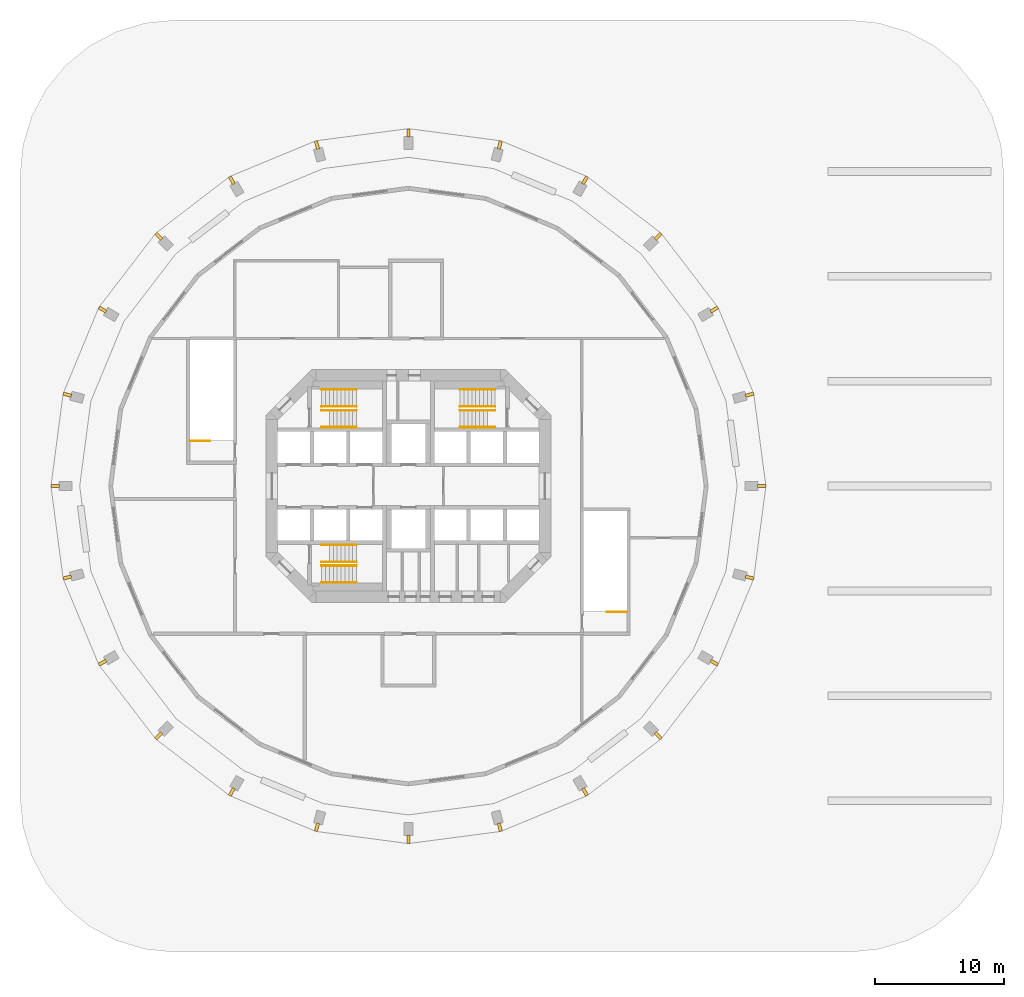
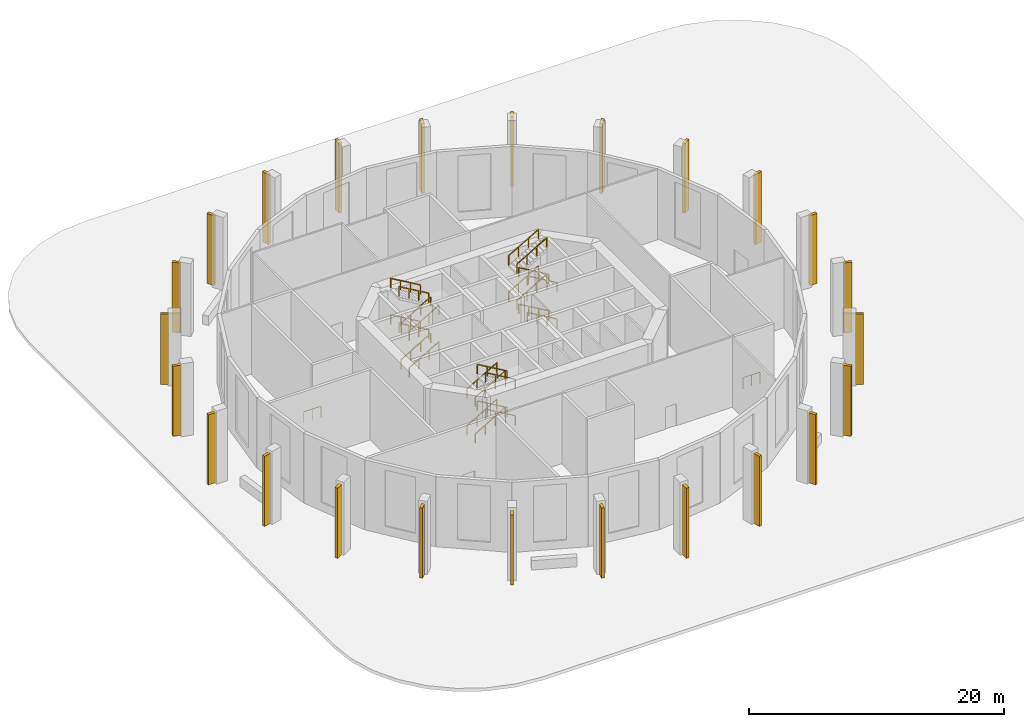
# One storey, part 7 of 7: 26 railings, 24 coverings.
"""IFC4 building model written with IfcOpenShell, lengths in metres."""

import ifcopenshell
import ifcopenshell.guid

model = None  # the IFC model being written
_history = None  # IfcOwnerHistory: only IFC2X3 demands one
_inside = {}  # id of a spatial element -> (the spatial element, [elements in it])
_under = {}  # id of a project, library or spatial element -> (it, [spatial elements below it])
_declared = {}  # id of a project -> (the project, [libraries it declares])
_typed = {}  # id of a type object -> (the type object, [elements of that type])
_made_of = {}  # id of a material, layer set ... -> (it, [elements and type objects made of it])


def new_model(schema):
    """Start an empty IFC model of exactly this schema.

    Asked for "IFC4X3", IfcOpenShell would pick the latest addendum, in which some entities
    have other attributes; the version numbers below select the first issue.
    IFC2X3 requires an IfcOwnerHistory on every rooted entity: one is made here for all.
    """
    global model, _history
    if schema == "IFC4X3":
        model = ifcopenshell.file(schema_version=(4, 3, 0, 0))
    else:
        model = ifcopenshell.file(schema=schema)
    _inside.clear()
    _under.clear()
    _declared.clear()
    _typed.clear()
    _made_of.clear()
    _history = None
    if model.schema == "IFC2X3":
        org = make("IfcOrganization", Name="unknown")
        user = make(
            "IfcPersonAndOrganization",
            ThePerson=make("IfcPerson", FamilyName="unknown"),
            TheOrganization=org,
        )
        app = make(
            "IfcApplication",
            ApplicationDeveloper=org,
            Version="unknown",
            ApplicationFullName="unknown",
            ApplicationIdentifier="unknown",
        )
        _history = make(
            "IfcOwnerHistory",
            OwningUser=user,
            OwningApplication=app,
            ChangeAction="ADDED",
            CreationDate=0,
        )
    return model


def make(cls, **values):
    """One entity of the class cls with the attributes given. An attribute that is None is left unset."""
    return model.create_entity(
        cls, **{name: value for name, value in values.items() if value is not None}
    )


def rooted(cls, **values):
    """An entity with a GlobalId (a new one), such as an element, a storey or a relation."""
    return make(cls, GlobalId=ifcopenshell.guid.new(), OwnerHistory=_history, **values)


def si_unit(unit_type, name, prefix=None):
    """IfcSIUnit, for example si_unit("LENGTHUNIT", "METRE", prefix="MILLI")."""
    return make("IfcSIUnit", UnitType=unit_type, Prefix=prefix, Name=name)


def assignment(units):
    """IfcUnitAssignment: the units of a project."""
    return None if units is None else make("IfcUnitAssignment", Units=units)


def point(xyz):
    """IfcCartesianPoint."""
    return None if xyz is None else make("IfcCartesianPoint", Coordinates=xyz)


def direction(xyz):
    """IfcDirection."""
    return None if xyz is None else make("IfcDirection", DirectionRatios=xyz)


def frame(location, z_axis=None, x_axis=None):
    """IfcAxis2Placement3D, a coordinate frame: its origin and axes. An axis left out is left unset."""
    return make(
        "IfcAxis2Placement3D",
        Location=point(location),
        Axis=direction(z_axis),
        RefDirection=direction(x_axis),
    )


def frame_2d(location, x_axis=None):
    """IfcAxis2Placement2D, a coordinate frame in the plane: its origin and x axis."""
    return make(
        "IfcAxis2Placement2D", Location=point(location), RefDirection=direction(x_axis)
    )


def origin():
    """The frame at (0, 0, 0) with its axes left unset."""
    return frame((0.0, 0.0, 0.0))


def origin_2d():
    """The frame at (0, 0) in the plane with its x axis left unset."""
    return frame_2d((0.0, 0.0))


def place(relative_to, where):
    """IfcLocalPlacement: puts the frame where relative to a parent placement (None: the world)."""
    return make(
        "IfcLocalPlacement", PlacementRelTo=relative_to, RelativePlacement=where
    )


def context(
    kind, dimensions, precision=None, world=None, true_north=None, identifier=None
):
    """IfcGeometricRepresentationContext, for example the 3D "Model" context."""
    return make(
        "IfcGeometricRepresentationContext",
        ContextIdentifier=identifier,
        ContextType=kind,
        CoordinateSpaceDimension=dimensions,
        Precision=precision,
        WorldCoordinateSystem=world,
        TrueNorth=true_north,
    )


def subcontext(parent, identifier, kind, view, scale=None):
    """IfcGeometricRepresentationSubContext, for example "Body" below "Model"."""
    return make(
        "IfcGeometricRepresentationSubContext",
        ContextIdentifier=identifier,
        ContextType=kind,
        ParentContext=parent,
        TargetScale=scale,
        TargetView=view,
    )


def project(units=None, contexts=None):
    """IfcProject with its units and contexts."""
    return rooted(
        "IfcProject",
        Name="project",
        RepresentationContexts=contexts,
        UnitsInContext=assignment(units),
    )


def spatial(cls, under=None, at=None, **own):
    """A site, building, storey or space (cls), placed at a placement, below another one or the project."""
    s = rooted(cls, ObjectPlacement=at, **own)
    if under is not None:
        _under.setdefault(under.id(), (under, []))[1].append(s)
    return s


def profile(cls, at=None, kind="AREA", **sizes):
    """A parametric profile (cls). Its sizes go by their IFC names, for example OverallWidth=200.0."""
    return make(cls, ProfileType=kind, Position=at, **sizes)


def rectangle(**sizes):
    """IfcRectangleProfileDef."""
    return profile("IfcRectangleProfileDef", **sizes)


def extrude(swept, where, along, depth):
    """IfcExtrudedAreaSolid: the profile swept, set in the frame where, extruded along a direction by depth."""
    return make(
        "IfcExtrudedAreaSolid",
        SweptArea=swept,
        Position=where,
        ExtrudedDirection=direction(along),
        Depth=depth,
    )


def shape(context_of_items, identifier, shape_type, items):
    """IfcShapeRepresentation: the items that make up one representation, for example the "Body"."""
    return make(
        "IfcShapeRepresentation",
        ContextOfItems=context_of_items,
        RepresentationIdentifier=identifier,
        RepresentationType=shape_type,
        Items=items,
    )


def material(Name=None, Category=None):
    """IfcMaterial."""
    return make("IfcMaterial", Name=Name, Category=Category)


def material_profile(
    of_material, cross_section, Name=None, Category=None, Priority=None
):
    """IfcMaterialProfile: a cross section and its material."""
    return make(
        "IfcMaterialProfile",
        Name=Name,
        Material=of_material,
        Profile=cross_section,
        Priority=Priority,
        Category=Category,
    )


def profile_set(profiles, Name=None, composite=None):
    """IfcMaterialProfileSet."""
    return make(
        "IfcMaterialProfileSet",
        Name=Name,
        MaterialProfiles=profiles,
        CompositeProfile=composite,
    )


def made_of(thing, what):
    """Note that an element or type object is made of a material, layer set ...; save() writes the relation."""
    if what is not None:
        _made_of.setdefault(what.id(), (what, []))[1].append(thing)
    return thing


def type_object(cls, material=None, **own):
    """A type object (cls), such as IfcWallType, which elements share."""
    return made_of(rooted(cls, **own), material)


def element(
    cls,
    number,
    at=None,
    inside=None,
    cuts=None,
    type_object=None,
    material=None,
    context=None,
    identifier="Body",
    shape_type=None,
    held_by="IfcProductDefinitionShape",
    body=None,
    shapes=None,
    **own,
):
    """One element of the class cls, such as IfcWall. Its Tag is "e" and its number.

    at: its placement. inside: the storey or other place that contains it. cuts: it is an
    opening in that element (IfcRelVoidsElement). A single representation is given by context,
    identifier, shape_type and body (its items); several are given by shapes. held_by: the class
    of the entity that holds the representations. save() writes the other relations.
    """
    e = rooted(cls, Tag="e%d" % number, ObjectPlacement=at, **own)
    if body is not None:
        shapes = [shape(context, identifier, shape_type, body)]
    if shapes is not None:
        e.Representation = make(held_by, Representations=shapes)
    if inside is not None:
        _inside.setdefault(inside.id(), (inside, []))[1].append(e)
    if cuts is not None:
        rooted(
            "IfcRelVoidsElement", RelatingBuildingElement=cuts, RelatedOpeningElement=e
        )
    if type_object is not None:
        _typed.setdefault(type_object.id(), (type_object, []))[1].append(e)
    return made_of(e, material)


def aggregate(whole, parts):
    """IfcRelAggregates: a whole, such as a stair, and the parts it consists of."""
    return rooted("IfcRelAggregates", RelatingObject=whole, RelatedObjects=parts)


def save(model, path):
    """Write the relations noted so far, then the file.

    IfcRelAggregates (storeys below a building ...), IfcRelContainedInSpatialStructure (elements
    in a storey), IfcRelDefinesByType, IfcRelAssociatesMaterial and IfcRelDeclares: one each for
    every whole, place, type object, material and project.
    """
    for whole, parts in _under.values():
        aggregate(whole, parts)
    for where, things in _inside.values():
        rooted(
            "IfcRelContainedInSpatialStructure",
            RelatedElements=things,
            RelatingStructure=where,
        )
    for kind, things in _typed.values():
        rooted("IfcRelDefinesByType", RelatedObjects=things, RelatingType=kind)
    for what, things in _made_of.values():
        rooted("IfcRelAssociatesMaterial", RelatedObjects=things, RelatingMaterial=what)
    for by, libraries in _declared.values():
        rooted("IfcRelDeclares", RelatingContext=by, RelatedDefinitions=libraries)
    model.write(path)


model = new_model("IFC4")

# Units and contexts
model_context = context("Model", 3, precision=1e-05, world=origin(), true_north=direction((0.0, 1.0)))
body_context = subcontext(model_context, "Body", "Model", "MODEL_VIEW")
ifc_project = project(units=[si_unit("LENGTHUNIT", "METRE"), si_unit("AREAUNIT", "SQUARE_METRE"), si_unit("VOLUMEUNIT", "CUBIC_METRE"), si_unit("PLANEANGLEUNIT", "RADIAN"), si_unit("MASSUNIT", "GRAM", prefix="KILO")], contexts=[model_context])

# Site, building, storey
site_placement = place(None, origin())
site = spatial("IfcSite", under=ifc_project, at=site_placement, CompositionType="ELEMENT")
building_placement = place(site_placement, origin())
building = spatial("IfcBuilding", under=site, at=building_placement, Name="Torre Triforio", CompositionType="ELEMENT")
storey_placement = place(building_placement, frame((0.0, 0.0, 20.0)))
storey = spatial("IfcBuildingStorey", under=building, at=storey_placement, Name="L03", CompositionType="ELEMENT", Elevation=20.0)

# Railings
ifc_material_1 = material(Name="Stainless steel AISI 316", Category="steel")
railing_type_1 = type_object("IfcRailingType", Name="HANDRAIL 920", PredefinedType="HANDRAIL", material=ifc_material_1)
for number, where, name in (
    (1, (-6.699951171875, 4.550048828125, 0.175048828125), "Handrail ST1"),
    (2, (-6.699951171875, 5.85009765625, 0.175048828125), "Handrail ST1"),
):
    element("IfcRailing", number, at=place(storey_placement, frame(where)), inside=storey, type_object=railing_type_1, Name=name, PredefinedType="HANDRAIL", context=body_context, shape_type="SweptSolid", body=[
        extrude(rectangle(XDim=0.048095703125, YDim=0.048095703125, at=origin_2d()), frame((0.0, 0.0, 0.89599609375), z_axis=(0.863781733769, 0.0, 0.503866169142), x_axis=(0.0, 1.0, 0.0)), (0.0, 0.0, 1.0), 3.125732421875),
        extrude(rectangle(XDim=0.0419921875, YDim=0.0419921875, at=origin_2d()), origin(), (0.0, 0.0, 1.0), 0.871826171875),
        extrude(rectangle(XDim=0.0419921875, YDim=0.0419921875, at=origin_2d()), frame((0.89990234375, 0.0, 0.52490234375)), (0.0, 0.0, 1.0), 0.871826171875),
        extrude(rectangle(XDim=0.0419921875, YDim=0.0419921875, at=origin_2d()), frame((1.800048828125, 0.0, 1.050048828125)), (0.0, 0.0, 1.0), 0.871826171875),
        extrude(rectangle(XDim=0.0419921875, YDim=0.0419921875, at=origin_2d()), frame((2.699951171875, 0.0, 1.574951171875)), (0.0, 0.0, 1.0), 0.871826171875),
    ])
for number, where, name in (
    (3, (-4.0, 7.449951171875, 1.925048828125), "Handrail ST1"),
    (4, (-4.0, 6.14990234375, 1.925048828125), "Handrail ST1"),
):
    element("IfcRailing", number, at=place(storey_placement, frame(where)), inside=storey, type_object=railing_type_1, Name=name, PredefinedType="HANDRAIL", context=body_context, shape_type="SweptSolid", body=[
        extrude(rectangle(XDim=0.048095703125, YDim=0.048095703125, at=origin_2d()), frame((0.0, 0.0, 0.89599609375), z_axis=(-0.863781733769, 0.0, 0.503866169142), x_axis=(0.0, -1.0, 0.0)), (0.0, 0.0, 1.0), 3.125732421875),
        extrude(rectangle(XDim=0.0419921875, YDim=0.0419921875, at=origin_2d()), origin(), (0.0, 0.0, 1.0), 0.871826171875),
        extrude(rectangle(XDim=0.0419921875, YDim=0.0419921875, at=origin_2d()), frame((-0.89990234375, 0.0, 0.52490234375)), (0.0, 0.0, 1.0), 0.871826171875),
        extrude(rectangle(XDim=0.0419921875, YDim=0.0419921875, at=origin_2d()), frame((-1.800048828125, 0.0, 1.050048828125)), (0.0, 0.0, 1.0), 0.871826171875),
        extrude(rectangle(XDim=0.0419921875, YDim=0.0419921875, at=origin_2d()), frame((-2.699951171875, 0.0, 1.574951171875)), (0.0, 0.0, 1.0), 0.871826171875),
    ])
for number, where, name in (
    (5, (-6.699951171875, 4.550048828125, 3.675048828125), "Handrail ST1"),
    (6, (-6.699951171875, 5.85009765625, 3.675048828125), "Handrail ST1"),
):
    element("IfcRailing", number, at=place(storey_placement, frame(where)), inside=storey, type_object=railing_type_1, Name=name, PredefinedType="HANDRAIL", context=body_context, shape_type="SweptSolid", body=[
        extrude(rectangle(XDim=0.048095703125, YDim=0.048095703125, at=origin_2d()), frame((0.0, 0.0, 0.89599609375), z_axis=(0.863781733769, 0.0, 0.503866169142), x_axis=(0.0, 1.0, 0.0)), (0.0, 0.0, 1.0), 3.125732421875),
        extrude(rectangle(XDim=0.0419921875, YDim=0.0419921875, at=origin_2d()), origin(), (0.0, 0.0, 1.0), 0.871826171875),
        extrude(rectangle(XDim=0.0419921875, YDim=0.0419921875, at=origin_2d()), frame((0.89990234375, 0.0, 0.52490234375)), (0.0, 0.0, 1.0), 0.871826171875),
        extrude(rectangle(XDim=0.0419921875, YDim=0.0419921875, at=origin_2d()), frame((1.800048828125, 0.0, 1.050048828125)), (0.0, 0.0, 1.0), 0.871826171875),
        extrude(rectangle(XDim=0.0419921875, YDim=0.0419921875, at=origin_2d()), frame((2.699951171875, 0.0, 1.574951171875)), (0.0, 0.0, 1.0), 0.871826171875),
    ])
for number, where, name in (
    (7, (-4.0, 7.449951171875, 5.425048828125), "Handrail ST1"),
    (8, (-4.0, 6.14990234375, 5.425048828125), "Handrail ST1"),
    (9, (6.699951171875, 4.550048828125, 0.175048828125), "Handrail ST2"),
    (10, (6.699951171875, 5.85009765625, 0.175048828125), "Handrail ST2"),
):
    element("IfcRailing", number, at=place(storey_placement, frame(where)), inside=storey, type_object=railing_type_1, Name=name, PredefinedType="HANDRAIL", context=body_context, shape_type="SweptSolid", body=[
        extrude(rectangle(XDim=0.048095703125, YDim=0.048095703125, at=origin_2d()), frame((0.0, 0.0, 0.89599609375), z_axis=(-0.863781733769, 0.0, 0.503866169142), x_axis=(0.0, -1.0, 0.0)), (0.0, 0.0, 1.0), 3.125732421875),
        extrude(rectangle(XDim=0.0419921875, YDim=0.0419921875, at=origin_2d()), origin(), (0.0, 0.0, 1.0), 0.871826171875),
        extrude(rectangle(XDim=0.0419921875, YDim=0.0419921875, at=origin_2d()), frame((-0.89990234375, 0.0, 0.52490234375)), (0.0, 0.0, 1.0), 0.871826171875),
        extrude(rectangle(XDim=0.0419921875, YDim=0.0419921875, at=origin_2d()), frame((-1.800048828125, 0.0, 1.050048828125)), (0.0, 0.0, 1.0), 0.871826171875),
        extrude(rectangle(XDim=0.0419921875, YDim=0.0419921875, at=origin_2d()), frame((-2.699951171875, 0.0, 1.574951171875)), (0.0, 0.0, 1.0), 0.871826171875),
    ])
for number, where, name in (
    (11, (4.0, 7.449951171875, 1.925048828125), "Handrail ST2"),
    (12, (4.0, 6.14990234375, 1.925048828125), "Handrail ST2"),
):
    element("IfcRailing", number, at=place(storey_placement, frame(where)), inside=storey, type_object=railing_type_1, Name=name, PredefinedType="HANDRAIL", context=body_context, shape_type="SweptSolid", body=[
        extrude(rectangle(XDim=0.048095703125, YDim=0.048095703125, at=origin_2d()), frame((0.0, 0.0, 0.89599609375), z_axis=(0.863781733769, 0.0, 0.503866169142), x_axis=(0.0, 1.0, 0.0)), (0.0, 0.0, 1.0), 3.125732421875),
        extrude(rectangle(XDim=0.0419921875, YDim=0.0419921875, at=origin_2d()), origin(), (0.0, 0.0, 1.0), 0.871826171875),
        extrude(rectangle(XDim=0.0419921875, YDim=0.0419921875, at=origin_2d()), frame((0.89990234375, 0.0, 0.52490234375)), (0.0, 0.0, 1.0), 0.871826171875),
        extrude(rectangle(XDim=0.0419921875, YDim=0.0419921875, at=origin_2d()), frame((1.800048828125, 0.0, 1.050048828125)), (0.0, 0.0, 1.0), 0.871826171875),
        extrude(rectangle(XDim=0.0419921875, YDim=0.0419921875, at=origin_2d()), frame((2.699951171875, 0.0, 1.574951171875)), (0.0, 0.0, 1.0), 0.871826171875),
    ])
for number, where, name in (
    (13, (6.699951171875, 4.550048828125, 3.675048828125), "Handrail ST2"),
    (14, (6.699951171875, 5.85009765625, 3.675048828125), "Handrail ST2"),
):
    element("IfcRailing", number, at=place(storey_placement, frame(where)), inside=storey, type_object=railing_type_1, Name=name, PredefinedType="HANDRAIL", context=body_context, shape_type="SweptSolid", body=[
        extrude(rectangle(XDim=0.048095703125, YDim=0.048095703125, at=origin_2d()), frame((0.0, 0.0, 0.89599609375), z_axis=(-0.863781733769, 0.0, 0.503866169142), x_axis=(0.0, -1.0, 0.0)), (0.0, 0.0, 1.0), 3.125732421875),
        extrude(rectangle(XDim=0.0419921875, YDim=0.0419921875, at=origin_2d()), origin(), (0.0, 0.0, 1.0), 0.871826171875),
        extrude(rectangle(XDim=0.0419921875, YDim=0.0419921875, at=origin_2d()), frame((-0.89990234375, 0.0, 0.52490234375)), (0.0, 0.0, 1.0), 0.871826171875),
        extrude(rectangle(XDim=0.0419921875, YDim=0.0419921875, at=origin_2d()), frame((-1.800048828125, 0.0, 1.050048828125)), (0.0, 0.0, 1.0), 0.871826171875),
        extrude(rectangle(XDim=0.0419921875, YDim=0.0419921875, at=origin_2d()), frame((-2.699951171875, 0.0, 1.574951171875)), (0.0, 0.0, 1.0), 0.871826171875),
    ])
for number, where, name in (
    (15, (4.0, 7.449951171875, 5.425048828125), "Handrail ST2"),
    (16, (4.0, 6.14990234375, 5.425048828125), "Handrail ST2"),
    (17, (-6.699951171875, -4.550048828125, 0.175048828125), "Handrail ST3"),
    (18, (-6.699951171875, -5.85009765625, 0.175048828125), "Handrail ST3"),
):
    element("IfcRailing", number, at=place(storey_placement, frame(where)), inside=storey, type_object=railing_type_1, Name=name, PredefinedType="HANDRAIL", context=body_context, shape_type="SweptSolid", body=[
        extrude(rectangle(XDim=0.048095703125, YDim=0.048095703125, at=origin_2d()), frame((0.0, 0.0, 0.89599609375), z_axis=(0.863781733769, 0.0, 0.503866169142), x_axis=(0.0, 1.0, 0.0)), (0.0, 0.0, 1.0), 3.125732421875),
        extrude(rectangle(XDim=0.0419921875, YDim=0.0419921875, at=origin_2d()), origin(), (0.0, 0.0, 1.0), 0.871826171875),
        extrude(rectangle(XDim=0.0419921875, YDim=0.0419921875, at=origin_2d()), frame((0.89990234375, 0.0, 0.52490234375)), (0.0, 0.0, 1.0), 0.871826171875),
        extrude(rectangle(XDim=0.0419921875, YDim=0.0419921875, at=origin_2d()), frame((1.800048828125, 0.0, 1.050048828125)), (0.0, 0.0, 1.0), 0.871826171875),
        extrude(rectangle(XDim=0.0419921875, YDim=0.0419921875, at=origin_2d()), frame((2.699951171875, 0.0, 1.574951171875)), (0.0, 0.0, 1.0), 0.871826171875),
    ])
for number, where, name in (
    (19, (-4.0, -7.449951171875, 1.925048828125), "Handrail ST3"),
    (20, (-4.0, -6.14990234375, 1.925048828125), "Handrail ST3"),
):
    element("IfcRailing", number, at=place(storey_placement, frame(where)), inside=storey, type_object=railing_type_1, Name=name, PredefinedType="HANDRAIL", context=body_context, shape_type="SweptSolid", body=[
        extrude(rectangle(XDim=0.048095703125, YDim=0.048095703125, at=origin_2d()), frame((0.0, 0.0, 0.89599609375), z_axis=(-0.863781733769, 0.0, 0.503866169142), x_axis=(0.0, -1.0, 0.0)), (0.0, 0.0, 1.0), 3.125732421875),
        extrude(rectangle(XDim=0.0419921875, YDim=0.0419921875, at=origin_2d()), origin(), (0.0, 0.0, 1.0), 0.871826171875),
        extrude(rectangle(XDim=0.0419921875, YDim=0.0419921875, at=origin_2d()), frame((-0.89990234375, 0.0, 0.52490234375)), (0.0, 0.0, 1.0), 0.871826171875),
        extrude(rectangle(XDim=0.0419921875, YDim=0.0419921875, at=origin_2d()), frame((-1.800048828125, 0.0, 1.050048828125)), (0.0, 0.0, 1.0), 0.871826171875),
        extrude(rectangle(XDim=0.0419921875, YDim=0.0419921875, at=origin_2d()), frame((-2.699951171875, 0.0, 1.574951171875)), (0.0, 0.0, 1.0), 0.871826171875),
    ])
for number, where, name in (
    (21, (-6.699951171875, -4.550048828125, 3.675048828125), "Handrail ST3"),
    (22, (-6.699951171875, -5.85009765625, 3.675048828125), "Handrail ST3"),
):
    element("IfcRailing", number, at=place(storey_placement, frame(where)), inside=storey, type_object=railing_type_1, Name=name, PredefinedType="HANDRAIL", context=body_context, shape_type="SweptSolid", body=[
        extrude(rectangle(XDim=0.048095703125, YDim=0.048095703125, at=origin_2d()), frame((0.0, 0.0, 0.89599609375), z_axis=(0.863781733769, 0.0, 0.503866169142), x_axis=(0.0, 1.0, 0.0)), (0.0, 0.0, 1.0), 3.125732421875),
        extrude(rectangle(XDim=0.0419921875, YDim=0.0419921875, at=origin_2d()), origin(), (0.0, 0.0, 1.0), 0.871826171875),
        extrude(rectangle(XDim=0.0419921875, YDim=0.0419921875, at=origin_2d()), frame((0.89990234375, 0.0, 0.52490234375)), (0.0, 0.0, 1.0), 0.871826171875),
        extrude(rectangle(XDim=0.0419921875, YDim=0.0419921875, at=origin_2d()), frame((1.800048828125, 0.0, 1.050048828125)), (0.0, 0.0, 1.0), 0.871826171875),
        extrude(rectangle(XDim=0.0419921875, YDim=0.0419921875, at=origin_2d()), frame((2.699951171875, 0.0, 1.574951171875)), (0.0, 0.0, 1.0), 0.871826171875),
    ])
for number, where, name in (
    (23, (-4.0, -7.449951171875, 5.425048828125), "Handrail ST3"),
    (24, (-4.0, -6.14990234375, 5.425048828125), "Handrail ST3"),
):
    element("IfcRailing", number, at=place(storey_placement, frame(where)), inside=storey, type_object=railing_type_1, Name=name, PredefinedType="HANDRAIL", context=body_context, shape_type="SweptSolid", body=[
        extrude(rectangle(XDim=0.048095703125, YDim=0.048095703125, at=origin_2d()), frame((0.0, 0.0, 0.89599609375), z_axis=(-0.863781733769, 0.0, 0.503866169142), x_axis=(0.0, -1.0, 0.0)), (0.0, 0.0, 1.0), 3.125732421875),
        extrude(rectangle(XDim=0.0419921875, YDim=0.0419921875, at=origin_2d()), origin(), (0.0, 0.0, 1.0), 0.871826171875),
        extrude(rectangle(XDim=0.0419921875, YDim=0.0419921875, at=origin_2d()), frame((-0.89990234375, 0.0, 0.52490234375)), (0.0, 0.0, 1.0), 0.871826171875),
        extrude(rectangle(XDim=0.0419921875, YDim=0.0419921875, at=origin_2d()), frame((-1.800048828125, 0.0, 1.050048828125)), (0.0, 0.0, 1.0), 0.871826171875),
        extrude(rectangle(XDim=0.0419921875, YDim=0.0419921875, at=origin_2d()), frame((-2.699951171875, 0.0, 1.574951171875)), (0.0, 0.0, 1.0), 0.871826171875),
    ])
railing_type_2 = type_object("IfcRailingType", Name="Stair well guard 1100", PredefinedType="GUARDRAIL", material=ifc_material_1)
for number, where, name in (
    (25, (-16.875, 3.47509765625, 0.0), "Guard PS1 L03"),
    (26, (15.324951171875, -9.72509765625, 0.0), "Guard PS2 L03"),
):
    element("IfcRailing", number, at=place(storey_placement, frame(where)), inside=storey, type_object=railing_type_2, Name=name, PredefinedType="GUARDRAIL", context=body_context, shape_type="SweptSolid", body=[
        extrude(rectangle(XDim=0.048095703125, YDim=0.048095703125, at=origin_2d()), frame((0.0, 0.0, 1.076171875), z_axis=(1.0, 0.0, 0.0), x_axis=(0.0, 1.0, 0.0)), (0.0, 0.0, 1.0), 1.550048828125),
        extrude(rectangle(XDim=0.0419921875, YDim=0.0419921875, at=origin_2d()), origin(), (0.0, 0.0, 1.0), 1.052001953125),
        extrude(rectangle(XDim=0.0419921875, YDim=0.0419921875, at=origin_2d()), frame((0.77490234375, 0.0, 0.0)), (0.0, 0.0, 1.0), 1.052001953125),
        extrude(rectangle(XDim=0.0419921875, YDim=0.0419921875, at=origin_2d()), frame((1.550048828125, 0.0, 0.0)), (0.0, 0.0, 1.0), 1.052001953125),
    ])

# Coverings
ifc_material_2 = material(Name="Limestone fin", Category="masonry")
ifc_material_profile = material_profile(ifc_material_2, rectangle(XDim=0.64990234375, YDim=0.25, at=origin_2d()), Name="FIN 650x250")
ifc_profile_set = profile_set([ifc_material_profile], Name="Limestone fin")
covering_type = type_object("IfcCoveringType", Name="Stone fin 650 x 250", PredefinedType="CLADDING", material=ifc_profile_set)
for number, where, z_axis, x_axis, name in (
    (27, (27.27490234375, 0.0, 0.0), (0.0, 0.0, 1.0), (1.0, 0.0, 0.0), "Stone fin C01 L03"),
    (28, (26.345703125, 7.059326171875, 0.0), (0.0, 0.0, 1.0), (0.965925826289, 0.258819045103, 0.0), "Stone fin C02 L03"),
    (29, (23.620849609375, 13.637451171875, 0.0), (0.0, 0.0, 1.0), (0.866025403784, 0.5, 0.0), "Stone fin C03 L03"),
    (30, (19.286376953125, 19.286376953125, 0.0), (0.0, 0.0, 1.0), (0.707106781187, 0.707106781187, 0.0), "Stone fin C04 L03"),
    (31, (13.637451171875, 23.620849609375, 0.0), (0.0, 0.0, 1.0), (0.5, 0.866025403784, 0.0), "Stone fin C05 L03"),
    (32, (7.059326171875, 26.345703125, 0.0), (0.0, 0.0, 1.0), (0.258819045103, 0.965925826289, 0.0), "Stone fin C06 L03"),
    (33, (0.0, 27.27490234375, 0.0), (0.0, 0.0, 1.0), (0.0, 1.0, 0.0), "Stone fin C07 L03"),
    (34, (-7.059326171875, 26.345703125, 0.0), (0.0, 0.0, 1.0), (-0.258819045103, 0.965925826289, 0.0), "Stone fin C08 L03"),
    (35, (-13.637451171875, 23.620849609375, 0.0), (0.0, 0.0, 1.0), (-0.5, 0.866025403784, 0.0), "Stone fin C09 L03"),
    (36, (-19.286376953125, 19.286376953125, 0.0), (0.0, 0.0, 1.0), (-0.707106781187, 0.707106781187, 0.0), "Stone fin C10 L03"),
    (37, (-23.620849609375, 13.637451171875, 0.0), (0.0, 0.0, 1.0), (-0.866025403784, 0.5, 0.0), "Stone fin C11 L03"),
    (38, (-26.345703125, 7.059326171875, 0.0), (0.0, 0.0, 1.0), (-0.965925826289, 0.258819045103, 0.0), "Stone fin C12 L03"),
    (39, (-27.27490234375, 0.0, 0.0), (0.0, 0.0, 1.0), (-1.0, 0.0, 0.0), "Stone fin C13 L03"),
    (40, (-26.345703125, -7.059326171875, 0.0), (0.0, 0.0, 1.0), (-0.965925826289, -0.258819045103, 0.0), "Stone fin C14 L03"),
    (41, (-23.620849609375, -13.637451171875, 0.0), (0.0, 0.0, 1.0), (-0.866025403784, -0.5, 0.0), "Stone fin C15 L03"),
    (42, (-19.286376953125, -19.286376953125, 0.0), (0.0, 0.0, 1.0), (-0.707106781187, -0.707106781187, 0.0), "Stone fin C16 L03"),
    (43, (-13.637451171875, -23.620849609375, 0.0), (0.0, 0.0, 1.0), (-0.5, -0.866025403784, 0.0), "Stone fin C17 L03"),
    (44, (-7.059326171875, -26.345703125, 0.0), (0.0, 0.0, 1.0), (-0.258819045103, -0.965925826289, 0.0), "Stone fin C18 L03"),
    (45, (0.0, -27.27490234375, 0.0), (0.0, 0.0, 1.0), (0.0, -1.0, 0.0), "Stone fin C19 L03"),
    (46, (7.059326171875, -26.345703125, 0.0), (0.0, 0.0, 1.0), (0.258819045103, -0.965925826289, 0.0), "Stone fin C20 L03"),
    (47, (13.637451171875, -23.620849609375, 0.0), (0.0, 0.0, 1.0), (0.5, -0.866025403784, 0.0), "Stone fin C21 L03"),
    (48, (19.286376953125, -19.286376953125, 0.0), (0.0, 0.0, 1.0), (0.707106781187, -0.707106781187, 0.0), "Stone fin C22 L03"),
    (49, (23.620849609375, -13.637451171875, 0.0), (0.0, 0.0, 1.0), (0.866025403784, -0.5, 0.0), "Stone fin C23 L03"),
    (50, (26.345703125, -7.059326171875, 0.0), (0.0, 0.0, 1.0), (0.965925826289, -0.258819045103, 0.0), "Stone fin C24 L03"),
):
    element("IfcCovering", number, at=place(storey_placement, frame(where, z_axis=z_axis, x_axis=x_axis)), inside=storey, type_object=covering_type, Name=name, PredefinedType="CLADDING", context=body_context, shape_type="SweptSolid", body=[
        extrude(rectangle(XDim=0.64990234375, YDim=0.25, at=origin_2d()), origin(), (0.0, 0.0, 1.0), 6.719970703125),
    ])

save(model, "model.ifc")
